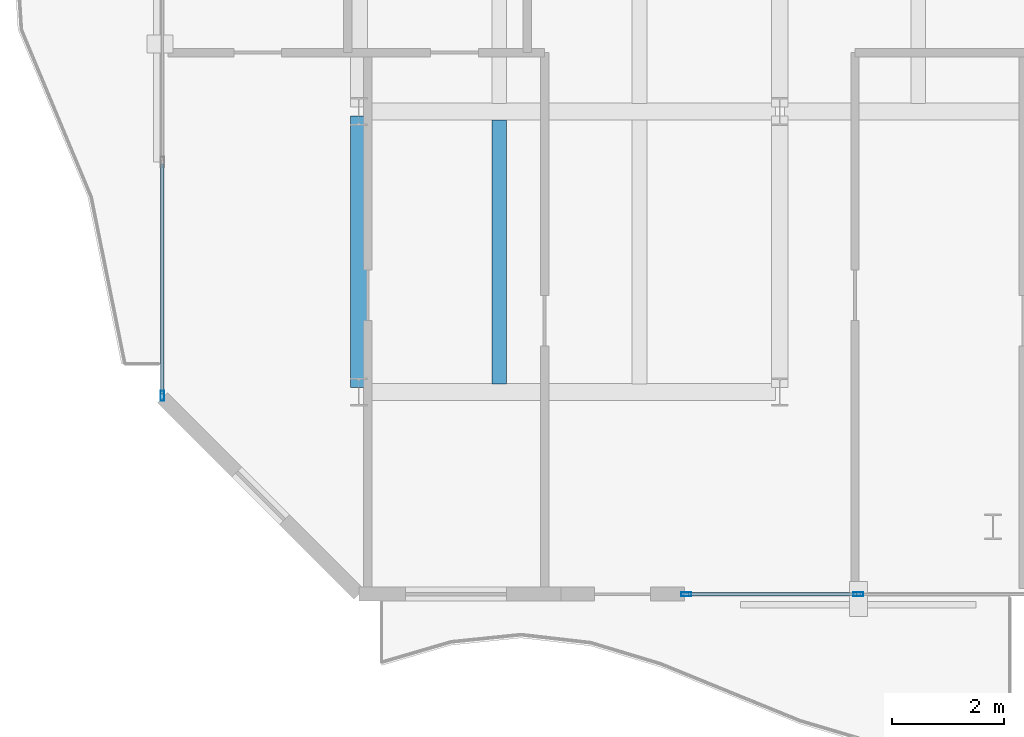
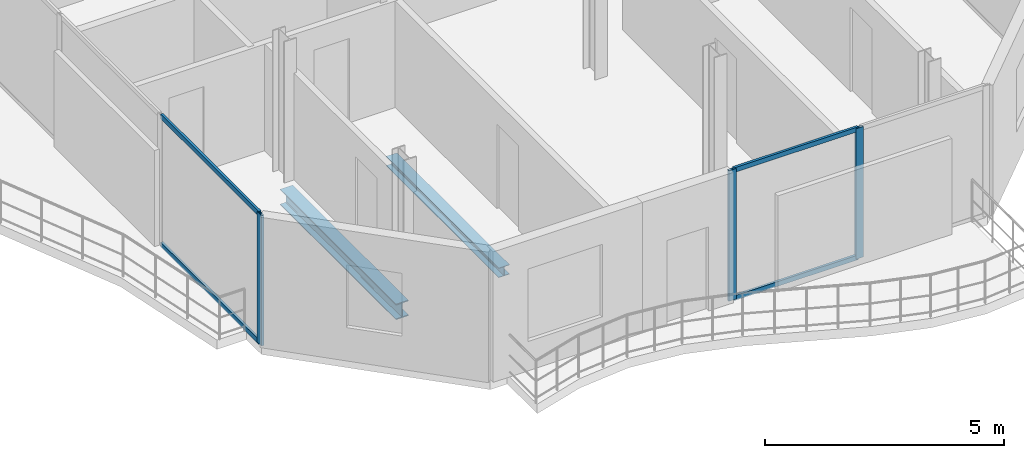
# One storey, part 3 of 23: 7 members, 2 beams, 2 elements without a shape of their own.
"""IFC4 building model written with IfcOpenShell, lengths in metres."""

from ifc_helpers import new_model, si_unit, direction, frame, origin, origin_2d, place, context, subcontext, project, spatial, hollow_rectangle, i_section, extrude, material, layer, layer_set, material_profile, profile_set, type_object, element, aggregate, save


model = new_model("IFC4")

# Units and contexts
model_context = context("Model", 3, precision=1e-05, world=origin(), true_north=direction((0.0, 1.0)))
body_context = subcontext(model_context, "Body", "Model", "MODEL_VIEW")
ifc_project = project(units=[si_unit("LENGTHUNIT", "METRE"), si_unit("AREAUNIT", "SQUARE_METRE"), si_unit("VOLUMEUNIT", "CUBIC_METRE"), si_unit("PLANEANGLEUNIT", "RADIAN"), si_unit("MASSUNIT", "GRAM", prefix="KILO")], contexts=[model_context])

# Site, building, storey
site_placement = place(None, origin())
site = spatial("IfcSite", under=ifc_project, at=site_placement, CompositionType="ELEMENT")
building_placement = place(site_placement, origin())
building = spatial("IfcBuilding", under=site, at=building_placement, Name="Catumbela Crestline Tower", CompositionType="ELEMENT")
storey_placement = place(building_placement, frame((0.0, 0.0, 201.0)))
storey = spatial("IfcBuildingStorey", under=building, at=storey_placement, Name="L52", CompositionType="ELEMENT", Elevation=201.0)

# Beams
ifc_material_1 = material(Name="Structural steel S355J2", Category="steel")
ifc_material_profile_1 = material_profile(ifc_material_1, i_section(OverallWidth=0.3, OverallDepth=0.4, WebThickness=0.0135, FlangeThickness=0.024, FilletRadius=0.027, at=origin_2d()), Name="HEB 400")
ifc_profile_set_1 = profile_set([ifc_material_profile_1], Name="Structural steel S355J2")
beam_type_1 = type_object("IfcBeamType", Name="BG-HEB400", PredefinedType="BEAM", material=ifc_profile_set_1)
beam_1_placement = place(storey_placement, frame((8.5, 8.68, -0.46), z_axis=(0.0, 1.0, 0.0), x_axis=(-1.0, 0.0, 0.0)))
element("IfcBeam", 1, at=beam_1_placement, inside=storey, type_object=beam_type_1, Name="L52 Beam BM-L52-WNS37", PredefinedType="BEAM", context=body_context, shape_type="SweptSolid", body=[
    extrude(i_section(OverallWidth=0.3, OverallDepth=0.4, WebThickness=0.0135, FlangeThickness=0.024, FilletRadius=0.027, at=origin_2d()), origin(), (0.0, 0.0, 1.0), 4.84),
])
ifc_material_profile_2 = material_profile(ifc_material_1, i_section(OverallWidth=0.26, OverallDepth=0.25, WebThickness=0.0075, FlangeThickness=0.0125, FilletRadius=0.024, at=origin_2d()), Name="HEA 260")
ifc_profile_set_2 = profile_set([ifc_material_profile_2], Name="Structural steel S355J2")
beam_type_2 = type_object("IfcBeamType", Name="BJ-HEA260", PredefinedType="JOIST", material=ifc_profile_set_2)
beam_2_placement = place(storey_placement, frame((11.0, 8.747, -0.385), z_axis=(0.0, 1.0, 0.0), x_axis=(-1.0, 0.0, 0.0)))
element("IfcBeam", 2, at=beam_2_placement, inside=storey, type_object=beam_type_2, Name="L52 Joist JS-L52-WG44", PredefinedType="JOIST", context=body_context, shape_type="SweptSolid", body=[
    extrude(i_section(OverallWidth=0.26, OverallDepth=0.25, WebThickness=0.0075, FlangeThickness=0.0125, FilletRadius=0.024, at=origin_2d()), origin(), (0.0, 0.0, 1.0), 4.706),
])

# Curtain wall, members
ifc_material_2 = material(Name="Aluminium alloy AW-6060-T66", Category="aluminium")
ifc_layer = layer(ifc_material_2, 0.18, Name="Aluminium alloy AW-6060-T66")
ifc_layer_set = layer_set([ifc_layer], Name="Aluminium alloy AW-6060-T66")
curtain_wall_type = type_object("IfcCurtainWallType", Name="CWU-Z3", PredefinedType="USERDEFINED", material=ifc_layer_set)
curtain_wall_1_placement = place(storey_placement, origin())
curtain_wall_1 = element("IfcCurtainWall", 3, at=curtain_wall_1_placement, inside=storey, type_object=curtain_wall_type, Name="L52 Unitised Curtain Wall CW-L52-E0S2", ObjectType="UNITISED", PredefinedType="USERDEFINED")
ifc_material_profile_3 = material_profile(ifc_material_2, hollow_rectangle(XDim=0.065, YDim=0.18, WallThickness=0.004, at=origin_2d()), Name="ALU 180x65x4")
ifc_profile_set_3 = profile_set([ifc_material_profile_3], Name="Aluminium alloy AW-6060-T66")
member_type_1 = type_object("IfcMemberType", Name="MUL-180X65", PredefinedType="MULLION", material=ifc_profile_set_3)
member_1_placement = place(storey_placement, frame((14.3325, 5.0, 0.0), z_axis=(0.0, 0.0, 1.0), x_axis=(0.0, 1.0, 0.0)))
member_1 = element("IfcMember", 4, at=member_1_placement, type_object=member_type_1, Name="CWU-Z3 mullion 1", PredefinedType="MULLION", context=body_context, shape_type="SweptSolid", body=[
    extrude(hollow_rectangle(XDim=0.065, YDim=0.18, WallThickness=0.004, at=origin_2d()), origin(), (0.0, 0.0, 1.0), 3.33),
])
member_2_placement = place(storey_placement, frame((17.4, 5.0, 0.0), z_axis=(0.0, 0.0, 1.0), x_axis=(0.0, 1.0, 0.0)))
member_2 = element("IfcMember", 5, at=member_2_placement, type_object=member_type_1, Name="CWU-Z3 mullion 2", PredefinedType="MULLION", context=body_context, shape_type="SweptSolid", body=[
    extrude(hollow_rectangle(XDim=0.065, YDim=0.18, WallThickness=0.004, at=origin_2d()), origin(), (0.0, 0.0, 1.0), 3.33),
])

# Curtain wall, member
curtain_wall_2_placement = place(storey_placement, origin())
curtain_wall_2 = element("IfcCurtainWall", 6, at=curtain_wall_2_placement, inside=storey, type_object=curtain_wall_type, Name="L52 Unitised Curtain Wall CW-L52-E9S2", ObjectType="UNITISED", PredefinedType="USERDEFINED")
member_3_placement = place(storey_placement, frame((5.0, 8.5325, 0.0), z_axis=(0.0, 0.0, 1.0), x_axis=(1.0, 0.0, 0.0)))
member_3 = element("IfcMember", 7, at=member_3_placement, type_object=member_type_1, Name="CWU-Z3 mullion 7", PredefinedType="MULLION", context=body_context, shape_type="SweptSolid", body=[
    extrude(hollow_rectangle(XDim=0.065, YDim=0.18, WallThickness=0.004, at=origin_2d()), origin(), (0.0, 0.0, 1.0), 3.33),
])

# Member
ifc_material_profile_4 = material_profile(ifc_material_2, hollow_rectangle(XDim=0.06, YDim=0.12, WallThickness=0.0035, at=origin_2d()), Name="ALU 120x60x3.5")
ifc_profile_set_4 = profile_set([ifc_material_profile_4], Name="Aluminium alloy AW-6060-T66")
member_type_2 = type_object("IfcMemberType", Name="TRN-120X60", PredefinedType="USERDEFINED", material=ifc_profile_set_4)
member_4_placement = place(storey_placement, frame((14.365, 5.0, 0.03), z_axis=(1.0, 0.0, 0.0), x_axis=(0.0, 1.0, 0.0)))
member_4 = element("IfcMember", 8, at=member_4_placement, type_object=member_type_2, Name="CWU-Z3 transom 1.1", ObjectType="TRANSOM", PredefinedType="USERDEFINED", context=body_context, shape_type="SweptSolid", body=[
    extrude(hollow_rectangle(XDim=0.06, YDim=0.12, WallThickness=0.0035, at=origin_2d()), origin(), (0.0, 0.0, 1.0), 3.0025),
])

member_5_placement = place(storey_placement, frame((14.365, 5.0, 3.3), z_axis=(1.0, 0.0, 0.0), x_axis=(0.0, 1.0, 0.0)))
member_5 = element("IfcMember", 9, at=member_5_placement, type_object=member_type_2, Name="CWU-Z3 transom 1.2", ObjectType="TRANSOM", PredefinedType="USERDEFINED", context=body_context, shape_type="SweptSolid", body=[
    extrude(hollow_rectangle(XDim=0.06, YDim=0.12, WallThickness=0.0035, at=origin_2d()), origin(), (0.0, 0.0, 1.0), 3.0025),
])

aggregate(curtain_wall_1, [member_1, member_2, member_4, member_5])

member_6_placement = place(storey_placement, frame((5.0, 12.6675, 0.03), z_axis=(0.0, -1.0, 0.0), x_axis=(1.0, 0.0, 0.0)))
member_6 = element("IfcMember", 10, at=member_6_placement, type_object=member_type_2, Name="CWU-Z3 transom 6.1", ObjectType="TRANSOM", PredefinedType="USERDEFINED", context=body_context, shape_type="SweptSolid", body=[
    extrude(hollow_rectangle(XDim=0.06, YDim=0.12, WallThickness=0.0035, at=origin_2d()), origin(), (0.0, 0.0, 1.0), 4.1025),
])

member_7_placement = place(storey_placement, frame((5.0, 12.6675, 3.3), z_axis=(0.0, -1.0, 0.0), x_axis=(1.0, 0.0, 0.0)))
member_7 = element("IfcMember", 11, at=member_7_placement, type_object=member_type_2, Name="CWU-Z3 transom 6.2", ObjectType="TRANSOM", PredefinedType="USERDEFINED", context=body_context, shape_type="SweptSolid", body=[
    extrude(hollow_rectangle(XDim=0.06, YDim=0.12, WallThickness=0.0035, at=origin_2d()), origin(), (0.0, 0.0, 1.0), 4.1025),
])

aggregate(curtain_wall_2, [member_3, member_6, member_7])

save(model, "model.ifc")
